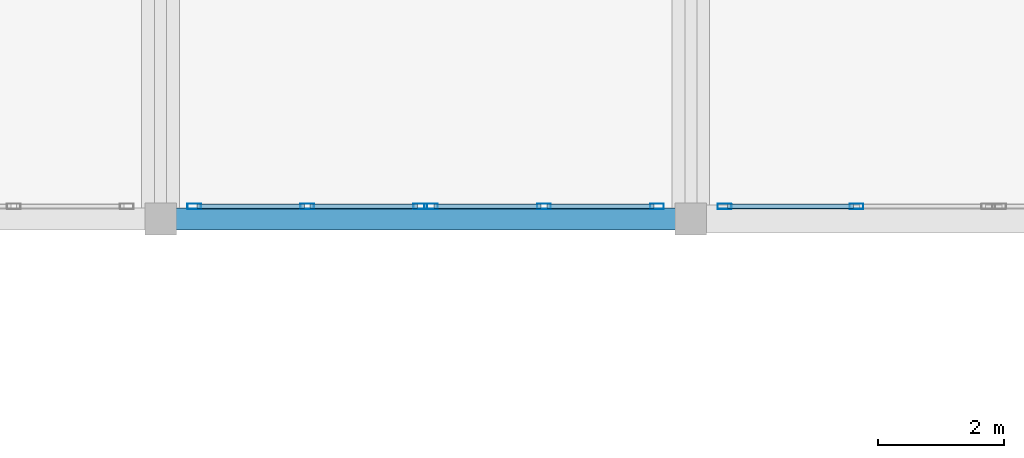
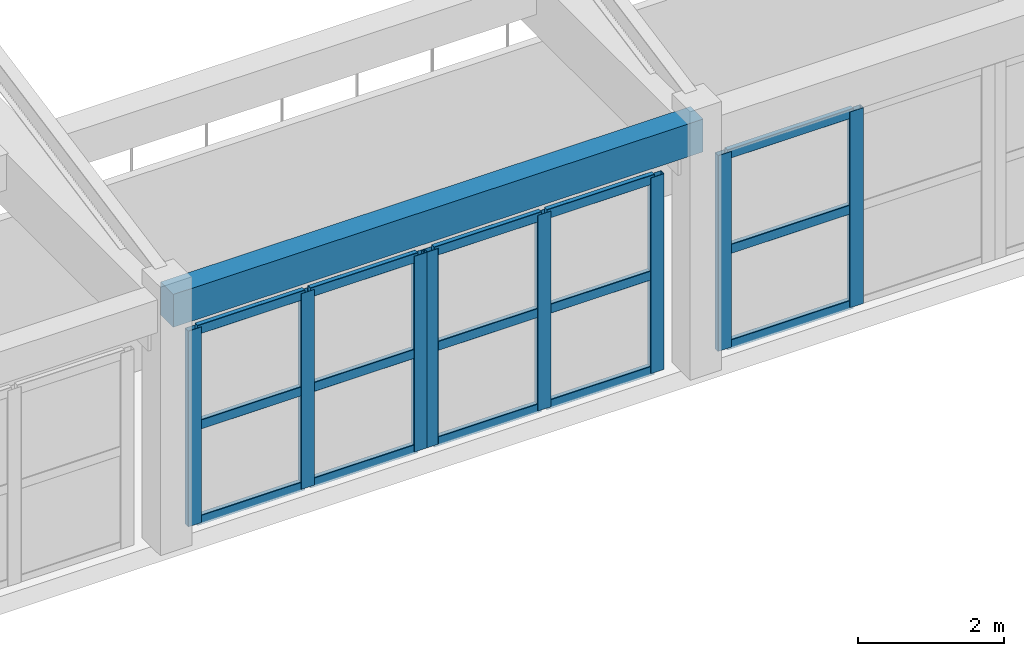
# One storey, part 28 of 91: 23 members, 1 beam, 3 elements without a shape of their own.
"""IFC4 building model written with IfcOpenShell, lengths in metres."""

from ifc_helpers import new_model, si_unit, direction, frame, origin, origin_2d, place, context, subcontext, project, spatial, rectangle, hollow_rectangle, extrude, material, layer, layer_set, material_profile, profile_set, type_object, element, aggregate, save


model = new_model("IFC4")

# Units and contexts
model_context = context("Model", 3, precision=1e-05, world=origin(), true_north=direction((0.0, 1.0)))
body_context = subcontext(model_context, "Body", "Model", "MODEL_VIEW")
ifc_project = project(units=[si_unit("LENGTHUNIT", "METRE"), si_unit("AREAUNIT", "SQUARE_METRE"), si_unit("VOLUMEUNIT", "CUBIC_METRE"), si_unit("PLANEANGLEUNIT", "RADIAN"), si_unit("MASSUNIT", "GRAM", prefix="KILO")], contexts=[model_context])

# Site, building, storey
site_placement = place(None, origin())
site = spatial("IfcSite", under=ifc_project, at=site_placement, CompositionType="ELEMENT")
building_placement = place(site_placement, origin())
building = spatial("IfcBuilding", under=site, at=building_placement, Name="Tarnavel Promenade Courthouse", CompositionType="ELEMENT")
storey_placement = place(building_placement, frame((0.0, 0.0, 9.89990234375)))
storey = spatial("IfcBuildingStorey", under=building, at=storey_placement, Name="L03", CompositionType="ELEMENT", Elevation=9.89990234375)

# Beam
ifc_material_1 = material(Name="Concrete C40/50", Category="concrete")
ifc_material_profile_1 = material_profile(ifc_material_1, rectangle(XDim=0.35009765625, YDim=0.550048828125, at=origin_2d()), Name="RC 350x550")
ifc_profile_set_1 = profile_set([ifc_material_profile_1], Name="Concrete C40/50")
beam_type = type_object("IfcBeamType", Name="Concrete C40/50 BM-RC-350x550 (RC 350x550)", PredefinedType="BEAM", material=ifc_profile_set_1)
beam_placement = place(storey_placement, frame((84.0, 46.800048828125, 3.97021484375), z_axis=(1.0, 0.0, 0.0), x_axis=(0.0, 1.0, 0.0)))
element("IfcBeam", 1, at=beam_placement, inside=storey, type_object=beam_type, Name="L03 Primary Longitudinal Beam 1574", PredefinedType="BEAM", context=body_context, shape_type="SweptSolid", body=[
    extrude(rectangle(XDim=0.35009765625, YDim=0.550048828125, at=origin_2d()), origin(), (0.0, 0.0, 1.0), 8.39990234375),
])

# Curtain wall, members
ifc_material_2 = material(Name="Thermally Broken Anodised Aluminium Curtain Wall System", Category="aluminium")
ifc_layer = layer(ifc_material_2, 0.239990234375)
ifc_layer_set = layer_set([ifc_layer], Name="Thermally Broken Anodised Aluminium Curtain Wall System")
curtain_wall_type = type_object("IfcCurtainWallType", Name="Thermally Broken Aluminium Triple-Glazed Curtain Wall CW-WG-S", PredefinedType="NOTDEFINED", material=ifc_layer_set)
curtain_wall_1_placement = place(storey_placement, origin())
curtain_wall_1 = element("IfcCurtainWall", 2, at=curtain_wall_1_placement, inside=storey, type_object=curtain_wall_type, Name="L03 Winter-Garden South Solar Curtain Wall 093", PredefinedType="NOTDEFINED")
ifc_material_3 = material(Name="Thermally Broken Anodised Aluminium Frame", Category="aluminium")
ifc_material_profile_2 = material_profile(ifc_material_3, hollow_rectangle(XDim=0.090087890625, YDim=0.219970703125, WallThickness=0.0048828125, InnerFilletRadius=0.0048828125, OuterFilletRadius=0.010009765625, at=origin_2d()), Name="CWM 220x90x5")
ifc_profile_set_2 = profile_set([ifc_material_profile_2], Name="Thermally Broken Anodised Aluminium Frame")
member_type_1 = type_object("IfcMemberType", Name="Thermally Broken Anodised Aluminium CWM-175 (CWM 220x90x5)", PredefinedType="MULLION", material=ifc_profile_set_2)
member_1_placement = place(storey_placement, frame((84.534912109375, 47.0, 0.0), z_axis=(0.0, 0.0, 1.0), x_axis=(0.0, 1.0, 0.0)))
member_1 = element("IfcMember", 3, at=member_1_placement, type_object=member_type_1, Name="CW-02 mullion 1", PredefinedType="MULLION", context=body_context, shape_type="SweptSolid", body=[
    extrude(hollow_rectangle(XDim=0.090087890625, YDim=0.219970703125, WallThickness=0.0048828125, InnerFilletRadius=0.0048828125, OuterFilletRadius=0.010009765625, at=origin_2d()), origin(), (0.0, 0.0, 1.0), 3.280029296875),
])
member_2_placement = place(storey_placement, frame((86.324951171875, 47.0, 0.0), z_axis=(0.0, 0.0, 1.0), x_axis=(0.0, 1.0, 0.0)))
member_2 = element("IfcMember", 4, at=member_2_placement, type_object=member_type_1, Name="CW-02 mullion 2", PredefinedType="MULLION", context=body_context, shape_type="SweptSolid", body=[
    extrude(hollow_rectangle(XDim=0.090087890625, YDim=0.219970703125, WallThickness=0.0048828125, InnerFilletRadius=0.0048828125, OuterFilletRadius=0.010009765625, at=origin_2d()), origin(), (0.0, 0.0, 1.0), 3.280029296875),
])
member_3_placement = place(storey_placement, frame((88.114990234375, 47.0, 0.0), z_axis=(0.0, 0.0, 1.0), x_axis=(0.0, 1.0, 0.0)))
member_3 = element("IfcMember", 5, at=member_3_placement, type_object=member_type_1, Name="CW-02 mullion 3", PredefinedType="MULLION", context=body_context, shape_type="SweptSolid", body=[
    extrude(hollow_rectangle(XDim=0.090087890625, YDim=0.219970703125, WallThickness=0.0048828125, InnerFilletRadius=0.0048828125, OuterFilletRadius=0.010009765625, at=origin_2d()), origin(), (0.0, 0.0, 1.0), 3.280029296875),
])

curtain_wall_2_placement = place(storey_placement, origin())
curtain_wall_2 = element("IfcCurtainWall", 6, at=curtain_wall_2_placement, inside=storey, type_object=curtain_wall_type, Name="L03 Winter-Garden South Solar Curtain Wall 094", PredefinedType="NOTDEFINED")
member_4_placement = place(storey_placement, frame((88.284912109375, 47.0, 0.0), z_axis=(0.0, 0.0, 1.0), x_axis=(0.0, 1.0, 0.0)))
member_4 = element("IfcMember", 7, at=member_4_placement, type_object=member_type_1, Name="CW-02 mullion 1", PredefinedType="MULLION", context=body_context, shape_type="SweptSolid", body=[
    extrude(hollow_rectangle(XDim=0.090087890625, YDim=0.219970703125, WallThickness=0.0048828125, InnerFilletRadius=0.0048828125, OuterFilletRadius=0.010009765625, at=origin_2d()), origin(), (0.0, 0.0, 1.0), 3.280029296875),
])
member_5_placement = place(storey_placement, frame((90.074951171875, 47.0, 0.0), z_axis=(0.0, 0.0, 1.0), x_axis=(0.0, 1.0, 0.0)))
member_5 = element("IfcMember", 8, at=member_5_placement, type_object=member_type_1, Name="CW-02 mullion 2", PredefinedType="MULLION", context=body_context, shape_type="SweptSolid", body=[
    extrude(hollow_rectangle(XDim=0.090087890625, YDim=0.219970703125, WallThickness=0.0048828125, InnerFilletRadius=0.0048828125, OuterFilletRadius=0.010009765625, at=origin_2d()), origin(), (0.0, 0.0, 1.0), 3.280029296875),
])
member_6_placement = place(storey_placement, frame((91.864990234375, 47.0, 0.0), z_axis=(0.0, 0.0, 1.0), x_axis=(0.0, 1.0, 0.0)))
member_6 = element("IfcMember", 9, at=member_6_placement, type_object=member_type_1, Name="CW-02 mullion 3", PredefinedType="MULLION", context=body_context, shape_type="SweptSolid", body=[
    extrude(hollow_rectangle(XDim=0.090087890625, YDim=0.219970703125, WallThickness=0.0048828125, InnerFilletRadius=0.0048828125, OuterFilletRadius=0.010009765625, at=origin_2d()), origin(), (0.0, 0.0, 1.0), 3.280029296875),
])

curtain_wall_3_placement = place(storey_placement, origin())
curtain_wall_3 = element("IfcCurtainWall", 10, at=curtain_wall_3_placement, inside=storey, type_object=curtain_wall_type, Name="L03 Winter-Garden South Solar Curtain Wall 095", PredefinedType="NOTDEFINED")
member_7_placement = place(storey_placement, frame((92.93505859375, 47.0, 0.0), z_axis=(0.0, 0.0, 1.0), x_axis=(0.0, 1.0, 0.0)))
member_7 = element("IfcMember", 11, at=member_7_placement, type_object=member_type_1, Name="CW-02 mullion 1", PredefinedType="MULLION", context=body_context, shape_type="SweptSolid", body=[
    extrude(hollow_rectangle(XDim=0.090087890625, YDim=0.219970703125, WallThickness=0.0048828125, InnerFilletRadius=0.0048828125, OuterFilletRadius=0.010009765625, at=origin_2d()), origin(), (0.0, 0.0, 1.0), 3.280029296875),
])
member_8_placement = place(storey_placement, frame((95.02490234375, 47.0, 0.0), z_axis=(0.0, 0.0, 1.0), x_axis=(0.0, 1.0, 0.0)))
member_8 = element("IfcMember", 12, at=member_8_placement, type_object=member_type_1, Name="CW-02 mullion 2", PredefinedType="MULLION", context=body_context, shape_type="SweptSolid", body=[
    extrude(hollow_rectangle(XDim=0.090087890625, YDim=0.219970703125, WallThickness=0.0048828125, InnerFilletRadius=0.0048828125, OuterFilletRadius=0.010009765625, at=origin_2d()), origin(), (0.0, 0.0, 1.0), 3.280029296875),
])

# Member
ifc_material_profile_3 = material_profile(ifc_material_3, hollow_rectangle(XDim=0.080078125, YDim=0.159912109375, WallThickness=0.0048828125, InnerFilletRadius=0.0048828125, OuterFilletRadius=0.010009765625, at=origin_2d()), Name="CWT 160x80x5")
ifc_profile_set_3 = profile_set([ifc_material_profile_3], Name="Thermally Broken Anodised Aluminium Frame")
member_type_2 = type_object("IfcMemberType", Name="Thermally Broken Anodised Aluminium CWT-145 (CWT 160x80x5)", PredefinedType="USERDEFINED", material=ifc_profile_set_3)
member_9_placement = place(storey_placement, frame((84.580078125, 47.0, 0.0400390625), z_axis=(1.0, 0.0, 0.0), x_axis=(0.0, 1.0, 0.0)))
member_9 = element("IfcMember", 13, at=member_9_placement, type_object=member_type_2, Name="CW-02 transom 1.1", ObjectType="TRANSOM", PredefinedType="USERDEFINED", context=body_context, shape_type="SweptSolid", body=[
    extrude(hollow_rectangle(XDim=0.080078125, YDim=0.159912109375, WallThickness=0.0048828125, InnerFilletRadius=0.0048828125, OuterFilletRadius=0.010009765625, at=origin_2d()), origin(), (0.0, 0.0, 1.0), 1.699951171875),
])

member_10_placement = place(storey_placement, frame((84.580078125, 47.0, 1.64013671875), z_axis=(1.0, 0.0, 0.0), x_axis=(0.0, 1.0, 0.0)))
member_10 = element("IfcMember", 14, at=member_10_placement, type_object=member_type_2, Name="CW-02 transom 1.2", ObjectType="TRANSOM", PredefinedType="USERDEFINED", context=body_context, shape_type="SweptSolid", body=[
    extrude(hollow_rectangle(XDim=0.080078125, YDim=0.159912109375, WallThickness=0.0048828125, InnerFilletRadius=0.0048828125, OuterFilletRadius=0.010009765625, at=origin_2d()), origin(), (0.0, 0.0, 1.0), 1.699951171875),
])

member_11_placement = place(storey_placement, frame((84.580078125, 47.0, 3.239990234375), z_axis=(1.0, 0.0, 0.0), x_axis=(0.0, 1.0, 0.0)))
member_11 = element("IfcMember", 15, at=member_11_placement, type_object=member_type_2, Name="CW-02 transom 1.3", ObjectType="TRANSOM", PredefinedType="USERDEFINED", context=body_context, shape_type="SweptSolid", body=[
    extrude(hollow_rectangle(XDim=0.080078125, YDim=0.159912109375, WallThickness=0.0048828125, InnerFilletRadius=0.0048828125, OuterFilletRadius=0.010009765625, at=origin_2d()), origin(), (0.0, 0.0, 1.0), 1.699951171875),
])

member_12_placement = place(storey_placement, frame((86.3701171875, 47.0, 0.0400390625), z_axis=(1.0, 0.0, 0.0), x_axis=(0.0, 1.0, 0.0)))
member_12 = element("IfcMember", 16, at=member_12_placement, type_object=member_type_2, Name="CW-02 transom 2.1", ObjectType="TRANSOM", PredefinedType="USERDEFINED", context=body_context, shape_type="SweptSolid", body=[
    extrude(hollow_rectangle(XDim=0.080078125, YDim=0.159912109375, WallThickness=0.0048828125, InnerFilletRadius=0.0048828125, OuterFilletRadius=0.010009765625, at=origin_2d()), origin(), (0.0, 0.0, 1.0), 1.699951171875),
])

member_13_placement = place(storey_placement, frame((86.3701171875, 47.0, 1.64013671875), z_axis=(1.0, 0.0, 0.0), x_axis=(0.0, 1.0, 0.0)))
member_13 = element("IfcMember", 17, at=member_13_placement, type_object=member_type_2, Name="CW-02 transom 2.2", ObjectType="TRANSOM", PredefinedType="USERDEFINED", context=body_context, shape_type="SweptSolid", body=[
    extrude(hollow_rectangle(XDim=0.080078125, YDim=0.159912109375, WallThickness=0.0048828125, InnerFilletRadius=0.0048828125, OuterFilletRadius=0.010009765625, at=origin_2d()), origin(), (0.0, 0.0, 1.0), 1.699951171875),
])

member_14_placement = place(storey_placement, frame((86.3701171875, 47.0, 3.239990234375), z_axis=(1.0, 0.0, 0.0), x_axis=(0.0, 1.0, 0.0)))
member_14 = element("IfcMember", 18, at=member_14_placement, type_object=member_type_2, Name="CW-02 transom 2.3", ObjectType="TRANSOM", PredefinedType="USERDEFINED", context=body_context, shape_type="SweptSolid", body=[
    extrude(hollow_rectangle(XDim=0.080078125, YDim=0.159912109375, WallThickness=0.0048828125, InnerFilletRadius=0.0048828125, OuterFilletRadius=0.010009765625, at=origin_2d()), origin(), (0.0, 0.0, 1.0), 1.699951171875),
])

aggregate(curtain_wall_1, [member_1, member_2, member_3, member_9, member_10, member_11, member_12, member_13, member_14])

member_15_placement = place(storey_placement, frame((88.330078125, 47.0, 0.0400390625), z_axis=(1.0, 0.0, 0.0), x_axis=(0.0, 1.0, 0.0)))
member_15 = element("IfcMember", 19, at=member_15_placement, type_object=member_type_2, Name="CW-02 transom 1.1", ObjectType="TRANSOM", PredefinedType="USERDEFINED", context=body_context, shape_type="SweptSolid", body=[
    extrude(hollow_rectangle(XDim=0.080078125, YDim=0.159912109375, WallThickness=0.0048828125, InnerFilletRadius=0.0048828125, OuterFilletRadius=0.010009765625, at=origin_2d()), origin(), (0.0, 0.0, 1.0), 1.699951171875),
])

member_16_placement = place(storey_placement, frame((88.330078125, 47.0, 1.64013671875), z_axis=(1.0, 0.0, 0.0), x_axis=(0.0, 1.0, 0.0)))
member_16 = element("IfcMember", 20, at=member_16_placement, type_object=member_type_2, Name="CW-02 transom 1.2", ObjectType="TRANSOM", PredefinedType="USERDEFINED", context=body_context, shape_type="SweptSolid", body=[
    extrude(hollow_rectangle(XDim=0.080078125, YDim=0.159912109375, WallThickness=0.0048828125, InnerFilletRadius=0.0048828125, OuterFilletRadius=0.010009765625, at=origin_2d()), origin(), (0.0, 0.0, 1.0), 1.699951171875),
])

member_17_placement = place(storey_placement, frame((88.330078125, 47.0, 3.239990234375), z_axis=(1.0, 0.0, 0.0), x_axis=(0.0, 1.0, 0.0)))
member_17 = element("IfcMember", 21, at=member_17_placement, type_object=member_type_2, Name="CW-02 transom 1.3", ObjectType="TRANSOM", PredefinedType="USERDEFINED", context=body_context, shape_type="SweptSolid", body=[
    extrude(hollow_rectangle(XDim=0.080078125, YDim=0.159912109375, WallThickness=0.0048828125, InnerFilletRadius=0.0048828125, OuterFilletRadius=0.010009765625, at=origin_2d()), origin(), (0.0, 0.0, 1.0), 1.699951171875),
])

member_18_placement = place(storey_placement, frame((90.1201171875, 47.0, 0.0400390625), z_axis=(1.0, 0.0, 0.0), x_axis=(0.0, 1.0, 0.0)))
member_18 = element("IfcMember", 22, at=member_18_placement, type_object=member_type_2, Name="CW-02 transom 2.1", ObjectType="TRANSOM", PredefinedType="USERDEFINED", context=body_context, shape_type="SweptSolid", body=[
    extrude(hollow_rectangle(XDim=0.080078125, YDim=0.159912109375, WallThickness=0.0048828125, InnerFilletRadius=0.0048828125, OuterFilletRadius=0.010009765625, at=origin_2d()), origin(), (0.0, 0.0, 1.0), 1.699951171875),
])

member_19_placement = place(storey_placement, frame((90.1201171875, 47.0, 1.64013671875), z_axis=(1.0, 0.0, 0.0), x_axis=(0.0, 1.0, 0.0)))
member_19 = element("IfcMember", 23, at=member_19_placement, type_object=member_type_2, Name="CW-02 transom 2.2", ObjectType="TRANSOM", PredefinedType="USERDEFINED", context=body_context, shape_type="SweptSolid", body=[
    extrude(hollow_rectangle(XDim=0.080078125, YDim=0.159912109375, WallThickness=0.0048828125, InnerFilletRadius=0.0048828125, OuterFilletRadius=0.010009765625, at=origin_2d()), origin(), (0.0, 0.0, 1.0), 1.699951171875),
])

member_20_placement = place(storey_placement, frame((90.1201171875, 47.0, 3.239990234375), z_axis=(1.0, 0.0, 0.0), x_axis=(0.0, 1.0, 0.0)))
member_20 = element("IfcMember", 24, at=member_20_placement, type_object=member_type_2, Name="CW-02 transom 2.3", ObjectType="TRANSOM", PredefinedType="USERDEFINED", context=body_context, shape_type="SweptSolid", body=[
    extrude(hollow_rectangle(XDim=0.080078125, YDim=0.159912109375, WallThickness=0.0048828125, InnerFilletRadius=0.0048828125, OuterFilletRadius=0.010009765625, at=origin_2d()), origin(), (0.0, 0.0, 1.0), 1.699951171875),
])

aggregate(curtain_wall_2, [member_4, member_5, member_6, member_15, member_16, member_17, member_18, member_19, member_20])

member_21_placement = place(storey_placement, frame((92.97998046875, 47.0, 0.0400390625), z_axis=(1.0, 0.0, 0.0), x_axis=(0.0, 1.0, 0.0)))
member_21 = element("IfcMember", 25, at=member_21_placement, type_object=member_type_2, Name="CW-02 transom 1.1", ObjectType="TRANSOM", PredefinedType="USERDEFINED", context=body_context, shape_type="SweptSolid", body=[
    extrude(hollow_rectangle(XDim=0.080078125, YDim=0.159912109375, WallThickness=0.0048828125, InnerFilletRadius=0.0048828125, OuterFilletRadius=0.010009765625, at=origin_2d()), origin(), (0.0, 0.0, 1.0), 2.0),
])

member_22_placement = place(storey_placement, frame((92.97998046875, 47.0, 1.64013671875), z_axis=(1.0, 0.0, 0.0), x_axis=(0.0, 1.0, 0.0)))
member_22 = element("IfcMember", 26, at=member_22_placement, type_object=member_type_2, Name="CW-02 transom 1.2", ObjectType="TRANSOM", PredefinedType="USERDEFINED", context=body_context, shape_type="SweptSolid", body=[
    extrude(hollow_rectangle(XDim=0.080078125, YDim=0.159912109375, WallThickness=0.0048828125, InnerFilletRadius=0.0048828125, OuterFilletRadius=0.010009765625, at=origin_2d()), origin(), (0.0, 0.0, 1.0), 2.0),
])

member_23_placement = place(storey_placement, frame((92.97998046875, 47.0, 3.239990234375), z_axis=(1.0, 0.0, 0.0), x_axis=(0.0, 1.0, 0.0)))
member_23 = element("IfcMember", 27, at=member_23_placement, type_object=member_type_2, Name="CW-02 transom 1.3", ObjectType="TRANSOM", PredefinedType="USERDEFINED", context=body_context, shape_type="SweptSolid", body=[
    extrude(hollow_rectangle(XDim=0.080078125, YDim=0.159912109375, WallThickness=0.0048828125, InnerFilletRadius=0.0048828125, OuterFilletRadius=0.010009765625, at=origin_2d()), origin(), (0.0, 0.0, 1.0), 2.0),
])

aggregate(curtain_wall_3, [member_7, member_8, member_21, member_22, member_23])

save(model, "model.ifc")
